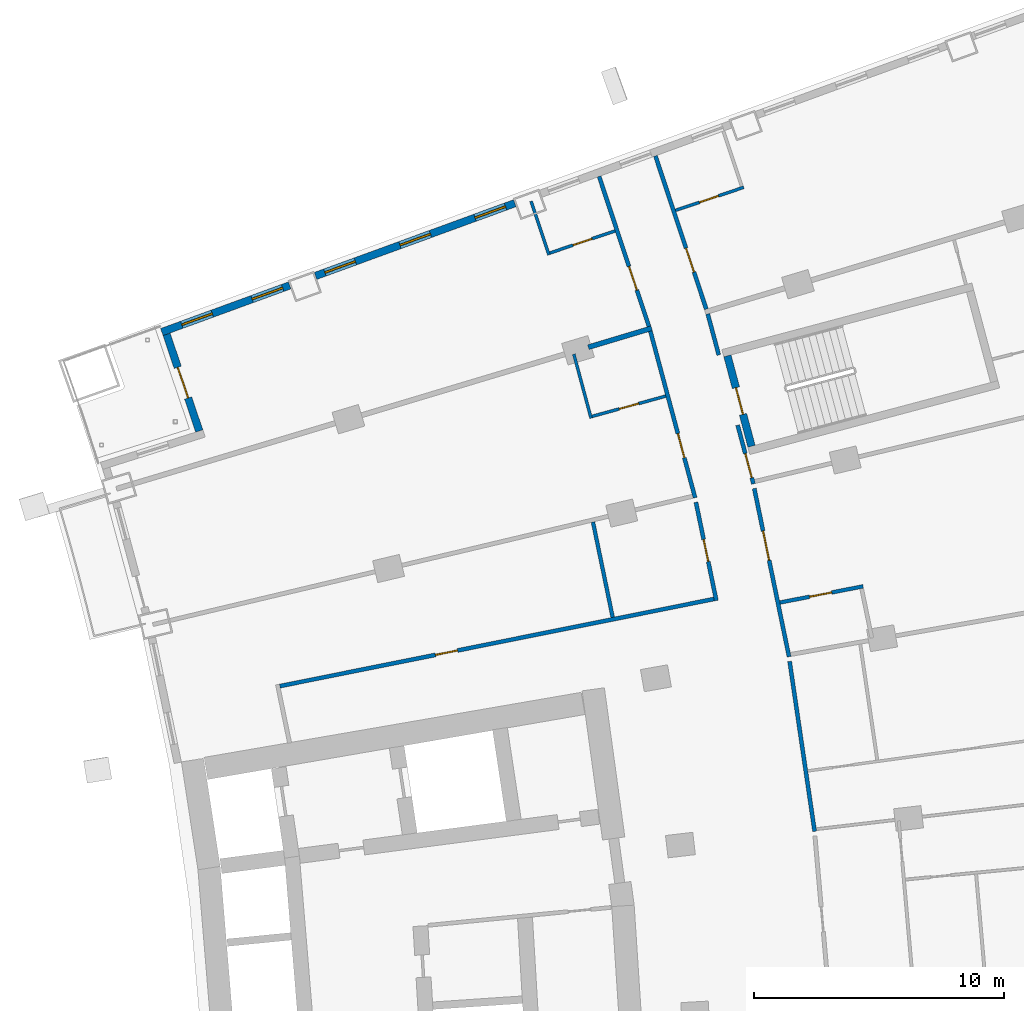
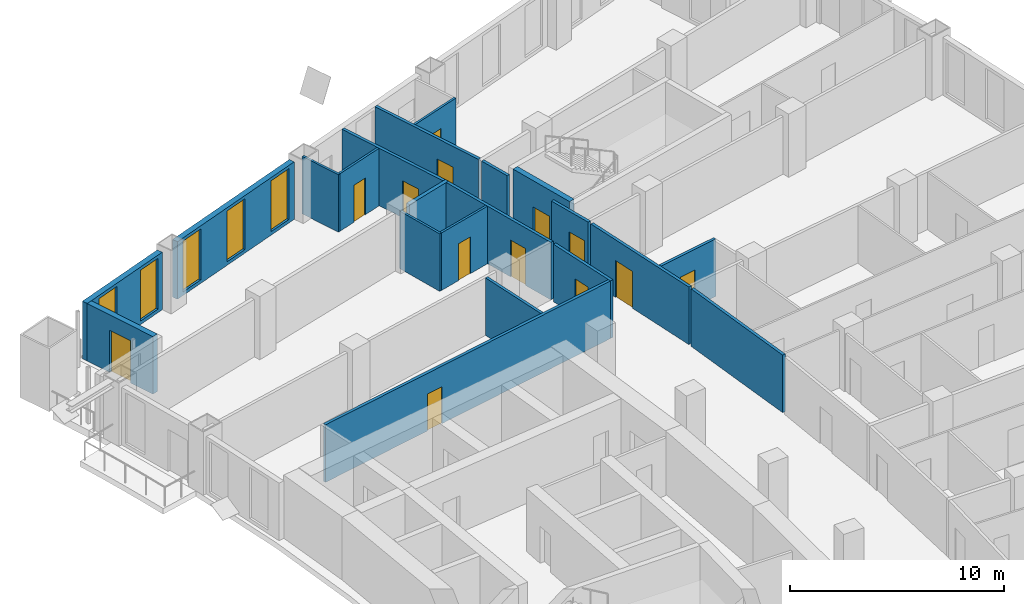
# One storey, part 19 of 24: 21 walls, 13 doors, 5 windows, 18 openings.
"""IFC4 building model written with IfcOpenShell, lengths in metres."""

from ifc_helpers import new_model, si_unit, direction, frame, frame_2d, origin, place, context, subcontext, project, spatial, rectangle, extrude, material, layer, layer_set, type_object, element, fill, save


model = new_model("IFC4")

# Units and contexts
model_context = context("Model", 3, precision=1e-05, world=origin(), true_north=direction((0.0, 1.0)))
body_context = subcontext(model_context, "Body", "Model", "MODEL_VIEW")
ifc_project = project(units=[si_unit("LENGTHUNIT", "METRE"), si_unit("AREAUNIT", "SQUARE_METRE"), si_unit("VOLUMEUNIT", "CUBIC_METRE"), si_unit("PLANEANGLEUNIT", "RADIAN"), si_unit("MASSUNIT", "GRAM", prefix="KILO")], contexts=[model_context])

# Site, building, storey
site_placement = place(None, origin())
site = spatial("IfcSite", under=ifc_project, at=site_placement, CompositionType="ELEMENT")
building_placement = place(site_placement, origin())
building = spatial("IfcBuilding", under=site, at=building_placement, Name="Alderwake Tower", CompositionType="ELEMENT")
storey_placement = place(building_placement, frame((0.0, 0.0, 39.199951171875)))
storey = spatial("IfcBuildingStorey", under=building, at=storey_placement, Name="L08", CompositionType="ELEMENT", Elevation=39.199951171875)

# Wall, opening, door
ifc_material_1 = material(Name="Concrete C70/85", Category="concrete")
ifc_layer_1 = layer(ifc_material_1, 0.300048828125)
ifc_layer_set_1 = layer_set([ifc_layer_1], Name="Core wall stair enclosure 300 C70-85")
wall_type_1 = type_object("IfcWallType", Name="Core wall stair enclosure 300 C70-85", PredefinedType="SHEAR", material=ifc_layer_set_1)
wall_1_placement = place(storey_placement, frame((37.8603515625, 90.452392578125, 0.0), z_axis=(0.0, 0.0, 1.0), x_axis=(-0.257411420208, 0.966301899381, 0.0)))
wall_1 = element("IfcWall", 1, at=wall_1_placement, inside=storey, type_object=wall_type_1, Name="Core wall CW.083", PredefinedType="SHEAR", context=body_context, shape_type="SweptSolid", body=[
    extrude(rectangle(XDim=3.750244140625, YDim=0.300048828125, at=frame_2d((1.875, 0.0))), origin(), (0.0, 0.0, 1.0), 3.60009765625),
])
opening_1_placement = place(wall_1_placement, frame((1.324951171875, 0.0, 0.0)))
opening_1 = element("IfcOpeningElement", 2, at=opening_1_placement, cuts=wall_1, Name="Opening C062", PredefinedType="OPENING", context=body_context, shape_type="SweptSolid", body=[
    extrude(rectangle(XDim=1.10009765625, YDim=2.10009765625, at=frame_2d((0.550048828125, 1.050048828125))), frame((0.0, 0.159912109375, 0.0), z_axis=(0.0, -1.0, 0.0), x_axis=(1.0, 0.0, 0.0)), (0.0, 0.0, 1.0), 0.320068359375),
])
ifc_material_2 = material(Name="Steel-framed fire door leaf", Category="steel")
door_type_1 = type_object("IfcDoorType", Name="Core stair door 1100 fire-rated", OperationType="SINGLE_SWING_LEFT", PredefinedType="DOOR", material=ifc_material_2)
door_1_placement = place(opening_1_placement, origin())
door_1 = element("IfcDoor", 3, at=door_1_placement, inside=storey, type_object=door_type_1, Name="Stair door", OperationType="SINGLE_SWING_RIGHT", OverallHeight=2.10009765625, OverallWidth=1.10009765625, PredefinedType="DOOR", context=body_context, shape_type="SweptSolid", body=[
    extrude(rectangle(XDim=1.10009765625, YDim=2.10009765625, at=frame_2d((0.550048828125, 1.050048828125))), frame((0.0, 0.02490234375, 0.0), z_axis=(0.0, -1.0, 0.0), x_axis=(1.0, 0.0, 0.0)), (0.0, 0.0, 1.0), 0.050048828125),
])
fill(opening_1, door_1)

ifc_material_3 = material(Name="Gypsum board on metal studs, rated")
ifc_layer_2 = layer(ifc_material_3, 0.159912109375)
ifc_layer_set_2 = layer_set([ifc_layer_2], Name="Corridor wall 160")
wall_type_2 = type_object("IfcWallType", Name="Corridor wall 160", PredefinedType="PARTITIONING", material=ifc_layer_set_2)
wall_2_placement = place(storey_placement, frame((33.75146484375, 95.2548828125, 0.0), z_axis=(0.0, 0.0, 1.0), x_axis=(-0.315406156735, 0.948956772616, 0.0)))
wall_2 = element("IfcWall", 4, at=wall_2_placement, inside=storey, type_object=wall_type_2, Name="WL/L08/W20", PredefinedType="PARTITIONING", context=body_context, shape_type="SweptSolid", body=[
    extrude(rectangle(XDim=6.330078125, YDim=0.159912109375, at=frame_2d((3.1650390625, 0.0))), origin(), (0.0, 0.0, 1.0), 3.280029296875),
])
opening_2_placement = place(wall_2_placement, frame((1.529052734375, 0.0, 0.0)))
opening_2 = element("IfcOpeningElement", 5, at=opening_2_placement, cuts=wall_2, Name="Opening R01-U13.1", PredefinedType="OPENING", context=body_context, shape_type="SweptSolid", body=[
    extrude(rectangle(XDim=1.0, YDim=2.10009765625, at=frame_2d((0.5, 1.050048828125))), frame((0.0, 0.08984375, 0.0), z_axis=(0.0, -1.0, 0.0), x_axis=(1.0, 0.0, 0.0)), (0.0, 0.0, 1.0), 0.179931640625),
])
ifc_material_4 = material(Name="Solid timber leaf in steel frame", Category="steel")
door_type_2 = type_object("IfcDoorType", Name="Flat entrance door 1000 fire-rated", OperationType="SINGLE_SWING_LEFT", PredefinedType="DOOR", material=ifc_material_4)
door_2_placement = place(opening_2_placement, origin())
door_2 = element("IfcDoor", 6, at=door_2_placement, inside=storey, type_object=door_type_2, Name="DR/L08/U13.1", OperationType="SINGLE_SWING_LEFT", OverallHeight=2.10009765625, OverallWidth=1.0, PredefinedType="DOOR", context=body_context, shape_type="SweptSolid", body=[
    extrude(rectangle(XDim=1.0, YDim=2.10009765625, at=frame_2d((0.5, 1.050048828125))), frame((0.0, 0.02490234375, 0.0), z_axis=(0.0, -1.0, 0.0), x_axis=(1.0, 0.0, 0.0)), (0.0, 0.0, 1.0), 0.050048828125),
])
fill(opening_2, door_2)

wall_3_placement = place(storey_placement, frame((35.600830078125, 88.392578125, 0.0), z_axis=(0.0, 0.0, 1.0), x_axis=(-0.2593979597, 0.965770520622, 0.0)))
wall_3 = element("IfcWall", 7, at=wall_3_placement, inside=storey, type_object=wall_type_2, Name="WL/L08/W22", PredefinedType="PARTITIONING", context=body_context, shape_type="SweptSolid", body=[
    extrude(rectangle(XDim=6.9072265625, YDim=0.159912109375, at=frame_2d((3.45361328125, 0.0))), origin(), (0.0, 0.0, 1.0), 3.280029296875),
])
opening_3_placement = place(wall_3_placement, frame((1.65771484375, 0.0, 0.0)))
opening_3 = element("IfcOpeningElement", 8, at=opening_3_placement, cuts=wall_3, Name="Opening R01-U12.1", PredefinedType="OPENING", context=body_context, shape_type="SweptSolid", body=[
    extrude(rectangle(XDim=1.0, YDim=2.10009765625, at=frame_2d((0.5, 1.050048828125))), frame((0.0, 0.08984375, 0.0), z_axis=(0.0, -1.0, 0.0), x_axis=(1.0, 0.0, 0.0)), (0.0, 0.0, 1.0), 0.179931640625),
])
door_3_placement = place(opening_3_placement, origin())
door_3 = element("IfcDoor", 9, at=door_3_placement, inside=storey, type_object=door_type_2, Name="DR/L08/U12.1", OperationType="SINGLE_SWING_LEFT", OverallHeight=2.10009765625, OverallWidth=1.0, PredefinedType="DOOR", context=body_context, shape_type="SweptSolid", body=[
    extrude(rectangle(XDim=1.0, YDim=2.10009765625, at=frame_2d((0.5, 1.050048828125))), frame((0.0, 0.02490234375, 0.0), z_axis=(0.0, -1.0, 0.0), x_axis=(1.0, 0.0, 0.0)), (0.0, 0.0, 1.0), 0.050048828125),
])
fill(opening_3, door_3)

wall_4_placement = place(storey_placement, frame((36.451416015625, 84.272705078125, 0.0), z_axis=(0.0, 0.0, 1.0), x_axis=(-0.203258199701, 0.979125172924, 0.0)))
wall_4 = element("IfcWall", 10, at=wall_4_placement, inside=storey, type_object=wall_type_2, Name="WL/L08/W26", PredefinedType="PARTITIONING", context=body_context, shape_type="SweptSolid", body=[
    extrude(rectangle(XDim=4.020263671875, YDim=0.159912109375, at=frame_2d((2.01025390625, 0.0))), origin(), (0.0, 0.0, 1.0), 3.280029296875),
])
opening_4_placement = place(wall_4_placement, frame((1.599609375, 0.0, 0.0)))
opening_4 = element("IfcOpeningElement", 11, at=opening_4_placement, cuts=wall_4, Name="Opening R01-SBN2", PredefinedType="OPENING", context=body_context, shape_type="SweptSolid", body=[
    extrude(rectangle(XDim=0.89990234375, YDim=2.10009765625, at=frame_2d((0.449951171875, 1.050048828125))), frame((0.0, 0.08984375, 0.0), z_axis=(0.0, -1.0, 0.0), x_axis=(1.0, 0.0, 0.0)), (0.0, 0.0, 1.0), 0.179931640625),
])
ifc_material_5 = material(Name="Painted timber leaf", Category="wood")
door_type_3 = type_object("IfcDoorType", Name="Room door 900", OperationType="SINGLE_SWING_LEFT", PredefinedType="DOOR", material=ifc_material_5)
door_4_placement = place(opening_4_placement, origin())
door_4 = element("IfcDoor", 12, at=door_4_placement, inside=storey, type_object=door_type_3, Name="DR/L08/SBN2", OperationType="SINGLE_SWING_LEFT", OverallHeight=2.10009765625, OverallWidth=0.89990234375, PredefinedType="DOOR", context=body_context, shape_type="SweptSolid", body=[
    extrude(rectangle(XDim=0.89990234375, YDim=2.10009765625, at=frame_2d((0.449951171875, 1.050048828125))), frame((0.0, 0.02490234375, 0.0), z_axis=(0.0, -1.0, 0.0), x_axis=(1.0, 0.0, 0.0)), (0.0, 0.0, 1.0), 0.050048828125),
])
fill(opening_4, door_4)

wall_5_placement = place(storey_placement, frame((34.010986328125, 102.083984375, 0.0), z_axis=(0.0, 0.0, 1.0), x_axis=(0.315140606423, -0.949044992708, 0.0)))
wall_5 = element("IfcWall", 13, at=wall_5_placement, inside=storey, type_object=wall_type_2, Name="WL/L08/W28", PredefinedType="PARTITIONING", context=body_context, shape_type="SweptSolid", body=[
    extrude(rectangle(XDim=6.46875, YDim=0.159912109375, at=frame_2d((3.234375, 0.0))), origin(), (0.0, 0.0, 1.0), 3.280029296875),
])
opening_5_placement = place(wall_5_placement, frame((3.897705078125, 0.0, 0.0)))
opening_5 = element("IfcOpeningElement", 14, at=opening_5_placement, cuts=wall_5, Name="Opening R01-U04.1", PredefinedType="OPENING", context=body_context, shape_type="SweptSolid", body=[
    extrude(rectangle(XDim=1.0, YDim=2.10009765625, at=frame_2d((0.5, 1.050048828125))), frame((0.0, 0.08984375, 0.0), z_axis=(0.0, -1.0, 0.0), x_axis=(1.0, 0.0, 0.0)), (0.0, 0.0, 1.0), 0.179931640625),
])
door_5_placement = place(opening_5_placement, origin())
door_5 = element("IfcDoor", 15, at=door_5_placement, inside=storey, type_object=door_type_2, Name="DR/L08/U04.1", OperationType="SINGLE_SWING_LEFT", OverallHeight=2.10009765625, OverallWidth=1.0, PredefinedType="DOOR", context=body_context, shape_type="SweptSolid", body=[
    extrude(rectangle(XDim=1.0, YDim=2.10009765625, at=frame_2d((0.5, 1.050048828125))), frame((0.0, 0.02490234375, 0.0), z_axis=(0.0, -1.0, 0.0), x_axis=(1.0, 0.0, 0.0)), (0.0, 0.0, 1.0), 0.050048828125),
])
fill(opening_5, door_5)

wall_6_placement = place(storey_placement, frame((18.969482421875, 80.84765625, 0.0), z_axis=(0.0, 0.0, 1.0), x_axis=(0.980470914622, 0.196664144112, 0.0)))
wall_6 = element("IfcWall", 16, at=wall_6_placement, inside=storey, type_object=wall_type_2, Name="WL/L08/W30", PredefinedType="PARTITIONING", context=body_context, shape_type="SweptSolid", body=[
    extrude(rectangle(XDim=17.733642578125, YDim=0.159912109375, at=frame_2d((8.86669921875, 0.0))), origin(), (0.0, 0.0, 1.0), 3.280029296875),
])
opening_6_placement = place(wall_6_placement, frame((6.35693359375, 0.0, 0.0)))
opening_6 = element("IfcOpeningElement", 17, at=opening_6_placement, cuts=wall_6, Name="Opening R01-SBN1", PredefinedType="OPENING", context=body_context, shape_type="SweptSolid", body=[
    extrude(rectangle(XDim=0.89990234375, YDim=2.10009765625, at=frame_2d((0.449951171875, 1.050048828125))), frame((0.0, 0.08984375, 0.0), z_axis=(0.0, -1.0, 0.0), x_axis=(1.0, 0.0, 0.0)), (0.0, 0.0, 1.0), 0.179931640625),
])
door_6_placement = place(opening_6_placement, origin())
door_6 = element("IfcDoor", 18, at=door_6_placement, inside=storey, type_object=door_type_3, Name="DR/L08/SBN1", OperationType="SINGLE_SWING_LEFT", OverallHeight=2.10009765625, OverallWidth=0.89990234375, PredefinedType="DOOR", context=body_context, shape_type="SweptSolid", body=[
    extrude(rectangle(XDim=0.89990234375, YDim=2.10009765625, at=frame_2d((0.449951171875, 1.050048828125))), frame((0.0, 0.02490234375, 0.0), z_axis=(0.0, -1.0, 0.0), x_axis=(1.0, 0.0, 0.0)), (0.0, 0.0, 1.0), 0.050048828125),
])
fill(opening_6, door_6)

# Wall
wall_7_placement = place(storey_placement, frame((36.549072265625, 94.110107421875, 0.0), z_axis=(0.0, 0.0, 1.0), x_axis=(-0.259813977097, 0.965658685719, 0.0)))
element("IfcWall", 19, at=wall_7_placement, inside=storey, type_object=wall_type_2, Name="WL/L08/W31", PredefinedType="PARTITIONING", context=body_context, shape_type="SweptSolid", body=[
    extrude(rectangle(XDim=1.70166015625, YDim=0.159912109375, at=frame_2d((0.850830078125, 0.0))), origin(), (0.0, 0.0, 1.0), 3.280029296875),
])

# Wall, opening, door
wall_8_placement = place(storey_placement, frame((37.304931640625, 91.299072265625, 0.0), z_axis=(0.0, 0.0, 1.0), x_axis=(0.259883580704, -0.965639955926, 0.0)))
wall_8 = element("IfcWall", 20, at=wall_8_placement, inside=storey, type_object=wall_type_2, Name="WL/L08/W34", PredefinedType="PARTITIONING", context=body_context, shape_type="SweptSolid", body=[
    extrude(rectangle(XDim=2.43505859375, YDim=0.159912109375, at=frame_2d((1.217529296875, 0.0))), origin(), (0.0, 0.0, 1.0), 3.280029296875),
])
opening_7_placement = place(wall_8_placement, frame((1.1796875, 0.0, 0.0)))
opening_7 = element("IfcOpeningElement", 21, at=opening_7_placement, cuts=wall_8, Name="Opening R01-U02.1", PredefinedType="OPENING", context=body_context, shape_type="SweptSolid", body=[
    extrude(rectangle(XDim=1.0, YDim=2.10009765625, at=frame_2d((0.5, 1.050048828125))), frame((0.0, 0.08984375, 0.0), z_axis=(0.0, -1.0, 0.0), x_axis=(1.0, 0.0, 0.0)), (0.0, 0.0, 1.0), 0.179931640625),
])
door_7_placement = place(opening_7_placement, origin())
door_7 = element("IfcDoor", 22, at=door_7_placement, inside=storey, type_object=door_type_2, Name="DR/L08/U02.1", OperationType="SINGLE_SWING_LEFT", OverallHeight=2.10009765625, OverallWidth=1.0, PredefinedType="DOOR", context=body_context, shape_type="SweptSolid", body=[
    extrude(rectangle(XDim=1.0, YDim=2.10009765625, at=frame_2d((0.5, 1.050048828125))), frame((0.0, 0.02490234375, 0.0), z_axis=(0.0, -1.0, 0.0), x_axis=(1.0, 0.0, 0.0)), (0.0, 0.0, 1.0), 0.050048828125),
])
fill(opening_7, door_7)

wall_9_placement = place(storey_placement, frame((37.970947265625, 88.763916015625, 0.0), z_axis=(0.0, 0.0, 1.0), x_axis=(0.202407399899, -0.979301406343, 0.0)))
wall_9 = element("IfcWall", 23, at=wall_9_placement, inside=storey, type_object=wall_type_2, Name="WL/L08/W37", PredefinedType="PARTITIONING", context=body_context, shape_type="SweptSolid", body=[
    extrude(rectangle(XDim=6.8837890625, YDim=0.159912109375, at=frame_2d((3.44189453125, 0.0))), origin(), (0.0, 0.0, 1.0), 3.280029296875),
])
opening_8_placement = place(wall_9_placement, frame((1.7412109375, 0.0, 0.0)))
opening_8 = element("IfcOpeningElement", 24, at=opening_8_placement, cuts=wall_9, Name="Opening R01-AM1.1", PredefinedType="OPENING", context=body_context, shape_type="SweptSolid", body=[
    extrude(rectangle(XDim=1.199951171875, YDim=2.10009765625, at=frame_2d((0.60009765625, 1.050048828125))), frame((0.0, 0.08984375, 0.0), z_axis=(0.0, -1.0, 0.0), x_axis=(1.0, 0.0, 0.0)), (0.0, 0.0, 1.0), 0.179931640625),
])
ifc_material_6 = material(Name="Steel-framed fire door leaf", Category="steel")
door_type_4 = type_object("IfcDoorType", Name="Lobby door 1200 fire-rated", OperationType="SINGLE_SWING_LEFT", PredefinedType="DOOR", material=ifc_material_6)
door_8_placement = place(opening_8_placement, origin())
door_8 = element("IfcDoor", 25, at=door_8_placement, inside=storey, type_object=door_type_4, Name="DR/L08/AM1.1", OperationType="SINGLE_SWING_LEFT", OverallHeight=2.10009765625, OverallWidth=1.199951171875, PredefinedType="DOOR", context=body_context, shape_type="SweptSolid", body=[
    extrude(rectangle(XDim=1.199951171875, YDim=2.10009765625, at=frame_2d((0.60009765625, 1.050048828125))), frame((0.0, 0.02490234375, 0.0), z_axis=(0.0, -1.0, 0.0), x_axis=(1.0, 0.0, 0.0)), (0.0, 0.0, 1.0), 0.050048828125),
])
fill(opening_8, door_8)

# Wall
wall_10_placement = place(storey_placement, frame((40.388671875, 75.02880859375, 0.0), z_axis=(0.0, 0.0, 1.0), x_axis=(-0.145597146039, 0.989343959938, 0.0)))
element("IfcWall", 26, at=wall_10_placement, inside=storey, type_object=wall_type_2, Name="WL/L08/W39", PredefinedType="PARTITIONING", context=body_context, shape_type="SweptSolid", body=[
    extrude(rectangle(XDim=6.881591796875, YDim=0.159912109375, at=frame_2d((3.44091796875, 0.0))), origin(), (0.0, 0.0, 1.0), 3.280029296875),
])

# Wall, openings, windows
ifc_material_7 = material(Name="Bronze metal cladding on lightweight framing")
ifc_layer_3 = layer(ifc_material_7, 0.300048828125)
ifc_layer_set_3 = layer_set([ifc_layer_3], Name="External wall EW2 bronze metal cladding")
wall_type_3 = type_object("IfcWallType", Name="External wall EW2 bronze metal cladding", PredefinedType="SOLIDWALL", material=ifc_layer_set_3)
wall_11_placement = place(storey_placement, frame((28.37890625, 100.18896484375, 0.0), z_axis=(0.0, 0.0, 1.0), x_axis=(-0.939369809957, -0.342905759856, 0.0)))
wall_11 = element("IfcWall", 27, at=wall_11_placement, inside=storey, type_object=wall_type_3, Name="External wall 28", PredefinedType="SOLIDWALL", context=body_context, shape_type="SweptSolid", body=[
    extrude(rectangle(XDim=8.495361328125, YDim=0.300048828125, at=frame_2d((4.24755859375, 0.0))), origin(), (0.0, 0.0, 1.0), 3.280029296875),
])
opening_9_placement = place(wall_11_placement, frame((0.397705078125, 0.0, 0.199951171875)))
opening_9 = element("IfcOpeningElement", 28, at=opening_9_placement, cuts=wall_11, Name="Opening W1", PredefinedType="OPENING", context=body_context, shape_type="SweptSolid", body=[
    extrude(rectangle(XDim=1.300048828125, YDim=2.89990234375, at=frame_2d((0.64990234375, 1.449951171875))), frame((0.0, 0.159912109375, 0.0), z_axis=(0.0, -1.0, 0.0), x_axis=(1.0, 0.0, 0.0)), (0.0, 0.0, 1.0), 0.320068359375),
])
opening_10_placement = place(wall_11_placement, frame((3.59765625, 0.0, 0.199951171875)))
opening_10 = element("IfcOpeningElement", 29, at=opening_10_placement, cuts=wall_11, Name="Opening W1", PredefinedType="OPENING", context=body_context, shape_type="SweptSolid", body=[
    extrude(rectangle(XDim=1.300048828125, YDim=2.89990234375, at=frame_2d((0.64990234375, 1.449951171875))), frame((0.0, 0.159912109375, 0.0), z_axis=(0.0, -1.0, 0.0), x_axis=(1.0, 0.0, 0.0)), (0.0, 0.0, 1.0), 0.320068359375),
])
opening_11_placement = place(wall_11_placement, frame((6.7978515625, 0.0, 0.199951171875)))
opening_11 = element("IfcOpeningElement", 30, at=opening_11_placement, cuts=wall_11, Name="Opening W1", PredefinedType="OPENING", context=body_context, shape_type="SweptSolid", body=[
    extrude(rectangle(XDim=1.300048828125, YDim=2.89990234375, at=frame_2d((0.64990234375, 1.449951171875))), frame((0.0, 0.159912109375, 0.0), z_axis=(0.0, -1.0, 0.0), x_axis=(1.0, 0.0, 0.0)), (0.0, 0.0, 1.0), 0.320068359375),
])
ifc_material_8 = material(Name="Bronze tinted glass in aluminium frame", Category="aluminium")
window_type = type_object("IfcWindowType", Name="Window W1 tall fixed and vent", PartitioningType="DOUBLE_PANEL_VERTICAL", PredefinedType="WINDOW", material=ifc_material_8)
window_1_placement = place(opening_9_placement, origin())
window_1 = element("IfcWindow", 31, at=window_1_placement, inside=storey, type_object=window_type, Name="Window W1 tall fixed and vent", OverallHeight=2.89990234375, OverallWidth=1.300048828125, PartitioningType="DOUBLE_PANEL_VERTICAL", PredefinedType="WINDOW", context=body_context, shape_type="SweptSolid", body=[
    extrude(rectangle(XDim=1.300048828125, YDim=2.89990234375, at=frame_2d((0.64990234375, 1.449951171875))), frame((0.0, 0.030029296875, 0.0), z_axis=(0.0, -1.0, 0.0), x_axis=(1.0, 0.0, 0.0)), (0.0, 0.0, 1.0), 0.06005859375),
])
fill(opening_9, window_1)
window_2_placement = place(opening_10_placement, origin())
window_2 = element("IfcWindow", 32, at=window_2_placement, inside=storey, type_object=window_type, Name="Window W1 tall fixed and vent", OverallHeight=2.89990234375, OverallWidth=1.300048828125, PartitioningType="DOUBLE_PANEL_VERTICAL", PredefinedType="WINDOW", context=body_context, shape_type="SweptSolid", body=[
    extrude(rectangle(XDim=1.300048828125, YDim=2.89990234375, at=frame_2d((0.64990234375, 1.449951171875))), frame((0.0, 0.030029296875, 0.0), z_axis=(0.0, -1.0, 0.0), x_axis=(1.0, 0.0, 0.0)), (0.0, 0.0, 1.0), 0.06005859375),
])
fill(opening_10, window_2)
window_3_placement = place(opening_11_placement, origin())
window_3 = element("IfcWindow", 33, at=window_3_placement, inside=storey, type_object=window_type, Name="Window W1 tall fixed and vent", OverallHeight=2.89990234375, OverallWidth=1.300048828125, PartitioningType="DOUBLE_PANEL_VERTICAL", PredefinedType="WINDOW", context=body_context, shape_type="SweptSolid", body=[
    extrude(rectangle(XDim=1.300048828125, YDim=2.89990234375, at=frame_2d((0.64990234375, 1.449951171875))), frame((0.0, 0.030029296875, 0.0), z_axis=(0.0, -1.0, 0.0), x_axis=(1.0, 0.0, 0.0)), (0.0, 0.0, 1.0), 0.06005859375),
])
fill(opening_11, window_3)

wall_12_placement = place(storey_placement, frame((19.360595703125, 96.89697265625, 0.0), z_axis=(0.0, 0.0, 1.0), x_axis=(-0.939360985368, -0.342929933321, 0.0)))
wall_12 = element("IfcWall", 34, at=wall_12_placement, inside=storey, type_object=wall_type_3, Name="External wall 29", PredefinedType="SOLIDWALL", context=body_context, shape_type="SweptSolid", body=[
    extrude(rectangle(XDim=5.448974609375, YDim=0.300048828125, at=frame_2d((2.724609375, 0.0))), origin(), (0.0, 0.0, 1.0), 3.280029296875),
])
opening_12_placement = place(wall_12_placement, frame((0.2978515625, 0.0, 0.199951171875)))
opening_12 = element("IfcOpeningElement", 35, at=opening_12_placement, cuts=wall_12, Name="Opening W1", PredefinedType="OPENING", context=body_context, shape_type="SweptSolid", body=[
    extrude(rectangle(XDim=1.300048828125, YDim=2.89990234375, at=frame_2d((0.64990234375, 1.449951171875))), frame((0.0, 0.159912109375, 0.0), z_axis=(0.0, -1.0, 0.0), x_axis=(1.0, 0.0, 0.0)), (0.0, 0.0, 1.0), 0.320068359375),
])
opening_13_placement = place(wall_12_placement, frame((3.298583984375, 0.0, 0.199951171875)))
opening_13 = element("IfcOpeningElement", 36, at=opening_13_placement, cuts=wall_12, Name="Opening W1", PredefinedType="OPENING", context=body_context, shape_type="SweptSolid", body=[
    extrude(rectangle(XDim=1.300048828125, YDim=2.89990234375, at=frame_2d((0.64990234375, 1.449951171875))), frame((0.0, 0.159912109375, 0.0), z_axis=(0.0, -1.0, 0.0), x_axis=(1.0, 0.0, 0.0)), (0.0, 0.0, 1.0), 0.320068359375),
])
window_4_placement = place(opening_12_placement, origin())
window_4 = element("IfcWindow", 37, at=window_4_placement, inside=storey, type_object=window_type, Name="Window W1 tall fixed and vent", OverallHeight=2.89990234375, OverallWidth=1.300048828125, PartitioningType="DOUBLE_PANEL_VERTICAL", PredefinedType="WINDOW", context=body_context, shape_type="SweptSolid", body=[
    extrude(rectangle(XDim=1.300048828125, YDim=2.89990234375, at=frame_2d((0.64990234375, 1.449951171875))), frame((0.0, 0.030029296875, 0.0), z_axis=(0.0, -1.0, 0.0), x_axis=(1.0, 0.0, 0.0)), (0.0, 0.0, 1.0), 0.06005859375),
])
fill(opening_12, window_4)
window_5_placement = place(opening_13_placement, origin())
window_5 = element("IfcWindow", 38, at=window_5_placement, inside=storey, type_object=window_type, Name="Window W1 tall fixed and vent", OverallHeight=2.89990234375, OverallWidth=1.300048828125, PartitioningType="DOUBLE_PANEL_VERTICAL", PredefinedType="WINDOW", context=body_context, shape_type="SweptSolid", body=[
    extrude(rectangle(XDim=1.300048828125, YDim=2.89990234375, at=frame_2d((0.64990234375, 1.449951171875))), frame((0.0, 0.030029296875, 0.0), z_axis=(0.0, -1.0, 0.0), x_axis=(1.0, 0.0, 0.0)), (0.0, 0.0, 1.0), 0.06005859375),
])
fill(opening_13, window_5)

# Wall, opening, door
wall_13_placement = place(storey_placement, frame((14.430908203125, 94.937744140625, 0.0), z_axis=(0.0, 0.0, 1.0), x_axis=(0.320379458656, -0.947289291859, 0.0)))
wall_13 = element("IfcWall", 39, at=wall_13_placement, inside=storey, type_object=wall_type_3, Name="External wall 30", PredefinedType="SOLIDWALL", context=body_context, shape_type="SweptSolid", body=[
    extrude(rectangle(XDim=4.08984375, YDim=0.300048828125, at=frame_2d((2.044921875, 0.0))), origin(), (0.0, 0.0, 1.0), 3.280029296875),
])
opening_14_placement = place(wall_13_placement, frame((1.39501953125, 0.0, 0.0)))
opening_14 = element("IfcOpeningElement", 40, at=opening_14_placement, cuts=wall_13, Name="Opening D13", PredefinedType="OPENING", context=body_context, shape_type="SweptSolid", body=[
    extrude(rectangle(XDim=1.300048828125, YDim=2.39990234375, at=frame_2d((0.64990234375, 1.199951171875))), frame((0.0, 0.159912109375, 0.0), z_axis=(0.0, -1.0, 0.0), x_axis=(1.0, 0.0, 0.0)), (0.0, 0.0, 1.0), 0.320068359375),
])
ifc_material_9 = material(Name="Bronze tinted glass in aluminium frame", Category="aluminium")
door_type_5 = type_object("IfcDoorType", Name="Balcony door BD sliding", OperationType="SLIDING_TO_LEFT", PredefinedType="DOOR", material=ifc_material_9)
door_9_placement = place(opening_14_placement, origin())
door_9 = element("IfcDoor", 41, at=door_9_placement, inside=storey, type_object=door_type_5, Name="Door D13", OperationType="SLIDING_TO_LEFT", OverallHeight=2.39990234375, OverallWidth=1.300048828125, PredefinedType="DOOR", context=body_context, shape_type="SweptSolid", body=[
    extrude(rectangle(XDim=1.300048828125, YDim=2.39990234375, at=frame_2d((0.64990234375, 1.199951171875))), frame((0.0, 0.02490234375, 0.0), z_axis=(0.0, -1.0, 0.0), x_axis=(1.0, 0.0, 0.0)), (0.0, 0.0, 1.0), 0.050048828125),
])
fill(opening_14, door_9)

# Walls
ifc_material_10 = material(Name="Dense block masonry wall", Category="masonry")
ifc_layer_4 = layer(ifc_material_10, 0.199951171875)
ifc_layer_set_4 = layer_set([ifc_layer_4], Name="Party wall 200")
wall_type_4 = type_object("IfcWallType", Name="Party wall 200", PredefinedType="SOLIDWALL", material=ifc_layer_set_4)
wall_14_placement = place(storey_placement, frame((33.859619140625, 95.18310546875, 0.0), z_axis=(0.0, 0.0, 1.0), x_axis=(-0.957762803886, -0.287559405153, 0.0)))
element("IfcWall", 42, at=wall_14_placement, inside=storey, type_object=wall_type_4, Name="WL/L08/W04", PredefinedType="SOLIDWALL", context=body_context, shape_type="SweptSolid", body=[
    extrude(rectangle(XDim=2.647216796875, YDim=0.199951171875, at=frame_2d((1.32373046875, 0.0))), origin(), (0.0, 0.0, 1.0), 3.280029296875),
])
ifc_material_11 = material(Name="Gypsum shaft wall system, rated")
ifc_layer_5 = layer(ifc_material_11, 0.14990234375)
ifc_layer_set_5 = layer_set([ifc_layer_5], Name="Riser and shaft wall 150")
wall_type_5 = type_object("IfcWallType", Name="Riser and shaft wall 150", PredefinedType="PARTITIONING", material=ifc_layer_set_5)
wall_15_placement = place(storey_placement, frame((32.2998046875, 83.601318359375, 0.0), z_axis=(0.0, 0.0, 1.0), x_axis=(-0.202493797034, 0.979283545334, 0.0)))
element("IfcWall", 43, at=wall_15_placement, inside=storey, type_object=wall_type_5, Name="WL/L08/W13", PredefinedType="PARTITIONING", context=body_context, shape_type="SweptSolid", body=[
    extrude(rectangle(XDim=3.899169921875, YDim=0.14990234375, at=frame_2d((1.94970703125, 0.0))), origin(), (0.0, 0.0, 1.0), 3.280029296875),
])

# Wall, opening, door
wall_16_placement = place(storey_placement, frame((42.32861328125, 84.84228515625, 0.0), z_axis=(0.0, 0.0, 1.0), x_axis=(-0.981655808185, -0.190661674853, 0.0)))
wall_16 = element("IfcWall", 44, at=wall_16_placement, inside=storey, type_object=wall_type_5, Name="WL/L08/W14", PredefinedType="PARTITIONING", context=body_context, shape_type="SweptSolid", body=[
    extrude(rectangle(XDim=3.393310546875, YDim=0.14990234375, at=frame_2d((1.69677734375, 0.0))), origin(), (0.0, 0.0, 1.0), 3.280029296875),
])
opening_15_placement = place(wall_16_placement, frame((1.2841796875, 0.0, 0.0)))
opening_15 = element("IfcOpeningElement", 45, at=opening_15_placement, cuts=wall_16, Name="Opening R01-AM1.2", PredefinedType="OPENING", context=body_context, shape_type="SweptSolid", body=[
    extrude(rectangle(XDim=0.89990234375, YDim=2.10009765625, at=frame_2d((0.449951171875, 1.050048828125))), frame((0.0, 0.0849609375, 0.0), z_axis=(0.0, -1.0, 0.0), x_axis=(1.0, 0.0, 0.0)), (0.0, 0.0, 1.0), 0.169921875),
])
door_10_placement = place(opening_15_placement, origin())
door_10 = element("IfcDoor", 46, at=door_10_placement, inside=storey, type_object=door_type_3, Name="DR/L08/AM1.2", OperationType="SINGLE_SWING_LEFT", OverallHeight=2.10009765625, OverallWidth=0.89990234375, PredefinedType="DOOR", context=body_context, shape_type="SweptSolid", body=[
    extrude(rectangle(XDim=0.89990234375, YDim=2.10009765625, at=frame_2d((0.449951171875, 1.050048828125))), frame((0.0, 0.02490234375, 0.0), z_axis=(0.0, -1.0, 0.0), x_axis=(1.0, 0.0, 0.0)), (0.0, 0.0, 1.0), 0.050048828125),
])
fill(opening_15, door_10)

# Wall
ifc_material_12 = material(Name="Moisture resistant gypsum board on metal studs")
ifc_layer_6 = layer(ifc_material_12, 0.1201171875)
ifc_layer_set_6 = layer_set([ifc_layer_6], Name="Wet room partition 120")
wall_type_6 = type_object("IfcWallType", Name="Wet room partition 120", PredefinedType="PARTITIONING", material=ifc_layer_set_6)
wall_17_placement = place(storey_placement, frame((29.031005859375, 100.26611328125, 0.0), z_axis=(0.0, 0.0, 1.0), x_axis=(0.315774774353, -0.948834175123, 0.0)))
element("IfcWall", 47, at=wall_17_placement, inside=storey, type_object=wall_type_6, Name="WL/L08/W44", PredefinedType="PARTITIONING", context=body_context, shape_type="SweptSolid", body=[
    extrude(rectangle(XDim=2.263671875, YDim=0.1201171875, at=frame_2d((1.1318359375, 0.0))), origin(), (0.0, 0.0, 1.0), 3.280029296875),
])

# Wall, opening, door
wall_18_placement = place(storey_placement, frame((29.78369140625, 98.1943359375, 0.0), z_axis=(0.0, 0.0, 1.0), x_axis=(0.947131995712, 0.320844171989, 0.0)))
wall_18 = element("IfcWall", 48, at=wall_18_placement, inside=storey, type_object=wall_type_6, Name="WL/L08/W46", PredefinedType="PARTITIONING", context=body_context, shape_type="SweptSolid", body=[
    extrude(rectangle(XDim=2.75830078125, YDim=0.1201171875, at=frame_2d((1.379150390625, 0.0))), origin(), (0.0, 0.0, 1.0), 3.280029296875),
])
opening_16_placement = place(wall_18_placement, frame((0.97900390625, 0.0, 0.0)))
opening_16 = element("IfcOpeningElement", 49, at=opening_16_placement, cuts=wall_18, Name="Opening R01-U13.2", PredefinedType="OPENING", context=body_context, shape_type="SweptSolid", body=[
    extrude(rectangle(XDim=0.800048828125, YDim=2.10009765625, at=frame_2d((0.39990234375, 1.050048828125))), frame((0.0, 0.070068359375, 0.0), z_axis=(0.0, -1.0, 0.0), x_axis=(1.0, 0.0, 0.0)), (0.0, 0.0, 1.0), 0.14013671875),
])
ifc_material_13 = material(Name="Painted timber leaf", Category="wood")
door_type_6 = type_object("IfcDoorType", Name="Bathroom door 800", OperationType="SINGLE_SWING_LEFT", PredefinedType="DOOR", material=ifc_material_13)
door_11_placement = place(opening_16_placement, origin())
door_11 = element("IfcDoor", 50, at=door_11_placement, inside=storey, type_object=door_type_6, Name="DR/L08/U13.2", OperationType="SINGLE_SWING_LEFT", OverallHeight=2.10009765625, OverallWidth=0.800048828125, PredefinedType="DOOR", context=body_context, shape_type="SweptSolid", body=[
    extrude(rectangle(XDim=0.800048828125, YDim=2.10009765625, at=frame_2d((0.39990234375, 1.050048828125))), frame((0.0, 0.02490234375, 0.0), z_axis=(0.0, -1.0, 0.0), x_axis=(1.0, 0.0, 0.0)), (0.0, 0.0, 1.0), 0.050048828125),
])
fill(opening_16, door_11)

# Wall
wall_19_placement = place(storey_placement, frame((30.742919921875, 94.1455078125, 0.0), z_axis=(0.0, 0.0, 1.0), x_axis=(0.260032723084, -0.965599804746, 0.0)))
element("IfcWall", 51, at=wall_19_placement, inside=storey, type_object=wall_type_6, Name="WL/L08/W47", PredefinedType="PARTITIONING", context=body_context, shape_type="SweptSolid", body=[
    extrude(rectangle(XDim=2.659912109375, YDim=0.1201171875, at=frame_2d((1.330078125, 0.0))), origin(), (0.0, 0.0, 1.0), 3.280029296875),
])

# Wall, opening, door
wall_20_placement = place(storey_placement, frame((31.476806640625, 91.65087890625, 0.0), z_axis=(0.0, 0.0, 1.0), x_axis=(0.964118102321, 0.265473698843, 0.0)))
wall_20 = element("IfcWall", 52, at=wall_20_placement, inside=storey, type_object=wall_type_6, Name="WL/L08/W49", PredefinedType="PARTITIONING", context=body_context, shape_type="SweptSolid", body=[
    extrude(rectangle(XDim=3.058837890625, YDim=0.1201171875, at=frame_2d((1.529296875, 0.0))), origin(), (0.0, 0.0, 1.0), 3.280029296875),
])
opening_17_placement = place(wall_20_placement, frame((1.12939453125, 0.0, 0.0)))
opening_17 = element("IfcOpeningElement", 53, at=opening_17_placement, cuts=wall_20, Name="Opening R01-U12.2", PredefinedType="OPENING", context=body_context, shape_type="SweptSolid", body=[
    extrude(rectangle(XDim=0.800048828125, YDim=2.10009765625, at=frame_2d((0.39990234375, 1.050048828125))), frame((0.0, 0.070068359375, 0.0), z_axis=(0.0, -1.0, 0.0), x_axis=(1.0, 0.0, 0.0)), (0.0, 0.0, 1.0), 0.14013671875),
])
door_12_placement = place(opening_17_placement, origin())
door_12 = element("IfcDoor", 54, at=door_12_placement, inside=storey, type_object=door_type_6, Name="DR/L08/U12.2", OperationType="SINGLE_SWING_LEFT", OverallHeight=2.10009765625, OverallWidth=0.800048828125, PredefinedType="DOOR", context=body_context, shape_type="SweptSolid", body=[
    extrude(rectangle(XDim=0.800048828125, YDim=2.10009765625, at=frame_2d((0.39990234375, 1.050048828125))), frame((0.0, 0.02490234375, 0.0), z_axis=(0.0, -1.0, 0.0), x_axis=(1.0, 0.0, 0.0)), (0.0, 0.0, 1.0), 0.050048828125),
])
fill(opening_17, door_12)

wall_21_placement = place(storey_placement, frame((34.81884765625, 99.901611328125, 0.0), z_axis=(0.0, 0.0, 1.0), x_axis=(0.947119631015, 0.32088067026, 0.0)))
wall_21 = element("IfcWall", 55, at=wall_21_placement, inside=storey, type_object=wall_type_6, Name="WL/L08/W52", PredefinedType="PARTITIONING", context=body_context, shape_type="SweptSolid", body=[
    extrude(rectangle(XDim=2.878173828125, YDim=0.1201171875, at=frame_2d((1.43896484375, 0.0))), origin(), (0.0, 0.0, 1.0), 3.280029296875),
])
opening_18_placement = place(wall_21_placement, frame((1.009765625, 0.0, 0.0)))
opening_18 = element("IfcOpeningElement", 56, at=opening_18_placement, cuts=wall_21, Name="Opening R01-U04.2", PredefinedType="OPENING", context=body_context, shape_type="SweptSolid", body=[
    extrude(rectangle(XDim=0.800048828125, YDim=2.10009765625, at=frame_2d((0.39990234375, 1.050048828125))), frame((0.0, 0.070068359375, 0.0), z_axis=(0.0, -1.0, 0.0), x_axis=(1.0, 0.0, 0.0)), (0.0, 0.0, 1.0), 0.14013671875),
])
door_13_placement = place(opening_18_placement, origin())
door_13 = element("IfcDoor", 57, at=door_13_placement, inside=storey, type_object=door_type_6, Name="DR/L08/U04.2", OperationType="SINGLE_SWING_LEFT", OverallHeight=2.10009765625, OverallWidth=0.800048828125, PredefinedType="DOOR", context=body_context, shape_type="SweptSolid", body=[
    extrude(rectangle(XDim=0.800048828125, YDim=2.10009765625, at=frame_2d((0.39990234375, 1.050048828125))), frame((0.0, 0.02490234375, 0.0), z_axis=(0.0, -1.0, 0.0), x_axis=(1.0, 0.0, 0.0)), (0.0, 0.0, 1.0), 0.050048828125),
])
fill(opening_18, door_13)

save(model, "model.ifc")
